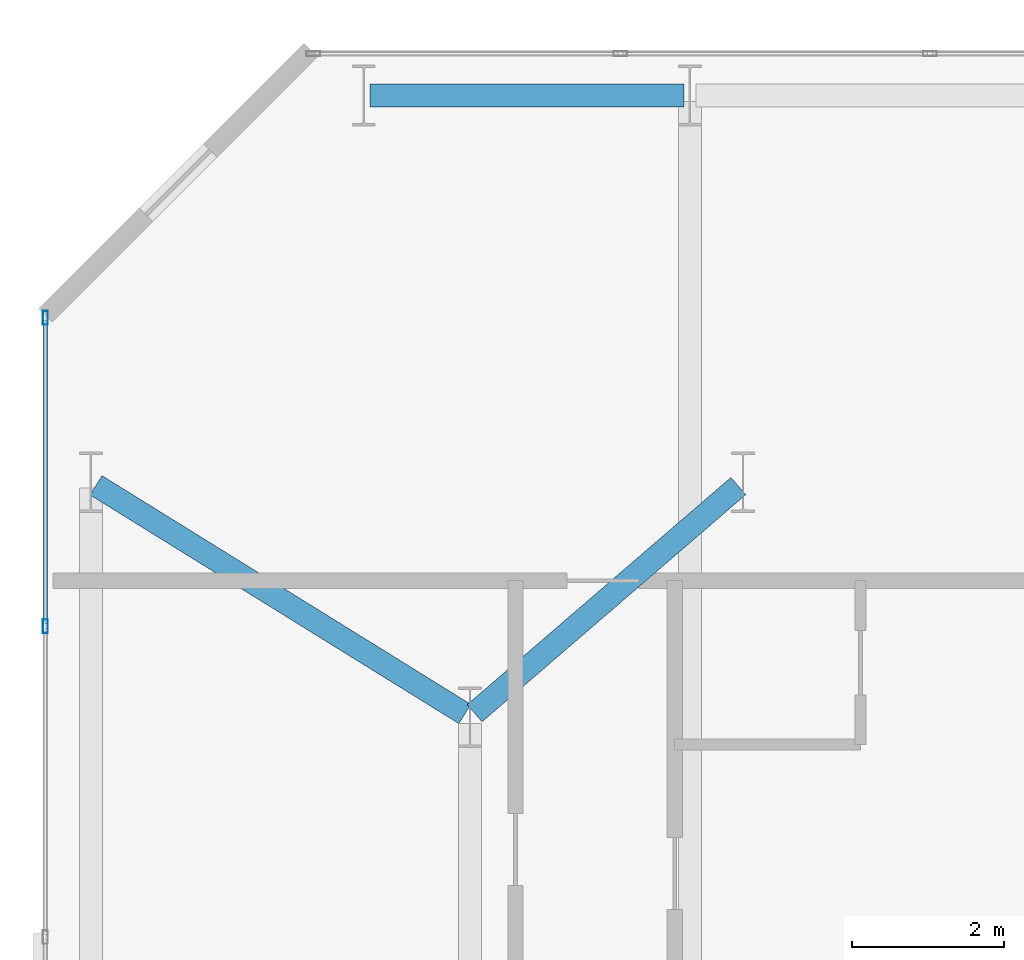
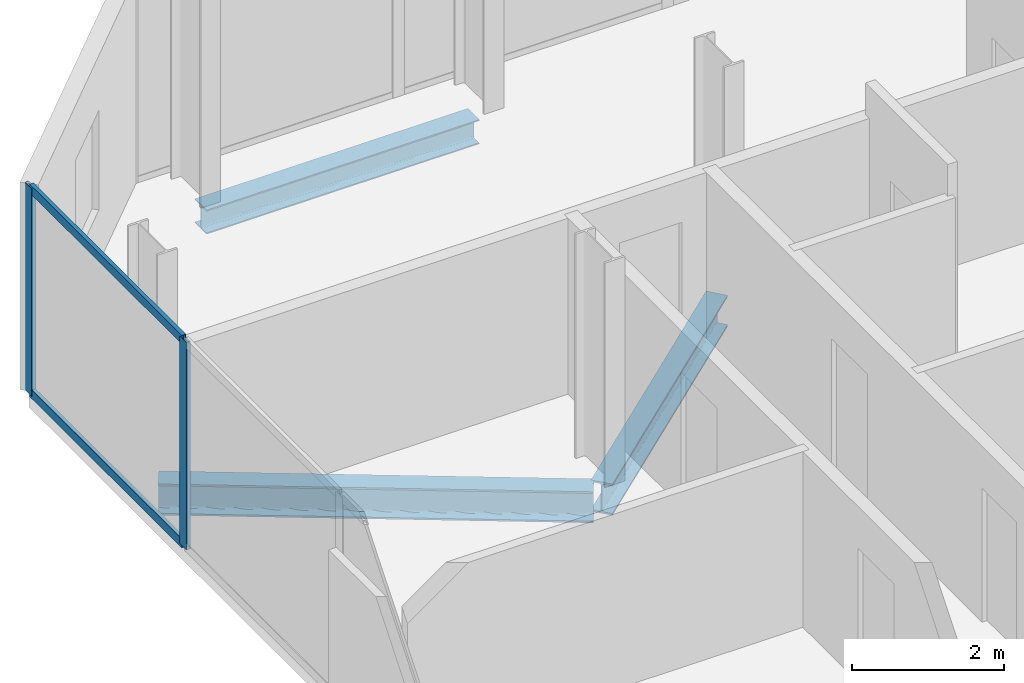
# One storey, part 20 of 33: 4 members, 3 beams, 1 element without a shape of its own.
"""IFC4 building model written with IfcOpenShell, lengths in metres."""

from ifc_helpers import new_model, si_unit, direction, frame, origin, origin_2d, place, context, subcontext, project, spatial, hollow_rectangle, i_section, extrude, material, layer, layer_set, material_profile, profile_set, type_object, element, aggregate, save


model = new_model("IFC4")

# Units and contexts
model_context = context("Model", 3, precision=1e-05, world=origin(), true_north=direction((0.0, 1.0)))
body_context = subcontext(model_context, "Body", "Model", "MODEL_VIEW")
ifc_project = project(units=[si_unit("LENGTHUNIT", "METRE"), si_unit("AREAUNIT", "SQUARE_METRE"), si_unit("VOLUMEUNIT", "CUBIC_METRE"), si_unit("PLANEANGLEUNIT", "RADIAN"), si_unit("MASSUNIT", "GRAM", prefix="KILO")], contexts=[model_context])

# Site, building, storey
site_placement = place(None, origin())
site = spatial("IfcSite", under=ifc_project, at=site_placement, CompositionType="ELEMENT")
building_placement = place(site_placement, origin())
building = spatial("IfcBuilding", under=site, at=building_placement, Name="Catumbela Crestline Tower", CompositionType="ELEMENT")
storey_placement = place(building_placement, frame((0.0, 0.0, 51.0)))
storey = spatial("IfcBuildingStorey", under=building, at=storey_placement, Name="L12", CompositionType="ELEMENT", Elevation=51.0)

# Beams
ifc_material_1 = material(Name="Structural steel S355J2", Category="steel")
ifc_material_profile_1 = material_profile(ifc_material_1, i_section(OverallWidth=0.3, OverallDepth=0.5, WebThickness=0.0145, FlangeThickness=0.028, FilletRadius=0.027, at=origin_2d()), Name="HEB 500")
ifc_profile_set_1 = profile_set([ifc_material_profile_1], Name="Structural steel S355J2")
beam_type_1 = type_object("IfcBeamType", Name="BG-HEB500", PredefinedType="BEAM", material=ifc_profile_set_1)
beam_1_placement = place(storey_placement, frame((0.668, 42.2578, -0.51), z_axis=(0.849908952007, -0.526929571479, 0.0), x_axis=(0.526929571479, 0.849908952007, 0.0)))
element("IfcBeam", 1, at=beam_1_placement, inside=storey, type_object=beam_type_1, Name="L12 Beam BM-L12-N13", PredefinedType="BEAM", context=body_context, shape_type="SweptSolid", body=[
    extrude(i_section(OverallWidth=0.3, OverallDepth=0.5, WebThickness=0.0145, FlangeThickness=0.028, FilletRadius=0.027, at=origin_2d()), origin(), (0.0, 0.0, 1.0), 5.723),
])
beam_2_placement = place(storey_placement, frame((5.6606, 39.2522, -0.51), z_axis=(0.757772392559, 0.652518966066, 0.0), x_axis=(-0.652518966066, 0.757772392559, 0.0)))
element("IfcBeam", 2, at=beam_2_placement, inside=storey, type_object=beam_type_1, Name="L12 Beam BM-L12-N14", PredefinedType="BEAM", context=body_context, shape_type="SweptSolid", body=[
    extrude(i_section(OverallWidth=0.3, OverallDepth=0.5, WebThickness=0.0145, FlangeThickness=0.028, FilletRadius=0.027, at=origin_2d()), origin(), (0.0, 0.0, 1.0), 4.5908),
])

# Curtain wall, members
ifc_material_2 = material(Name="Aluminium alloy AW-6060-T66", Category="aluminium")
ifc_layer = layer(ifc_material_2, 0.18, Name="Aluminium alloy AW-6060-T66")
ifc_layer_set = layer_set([ifc_layer], Name="Aluminium alloy AW-6060-T66")
curtain_wall_type = type_object("IfcCurtainWallType", Name="CWU-Z1", PredefinedType="USERDEFINED", material=ifc_layer_set)
curtain_wall_placement = place(storey_placement, origin())
curtain_wall = element("IfcCurtainWall", 3, at=curtain_wall_placement, inside=storey, type_object=curtain_wall_type, Name="L12 Unitised Curtain Wall CW-L12-E9S1", ObjectType="UNITISED", PredefinedType="USERDEFINED")
ifc_material_profile_2 = material_profile(ifc_material_2, hollow_rectangle(XDim=0.065, YDim=0.18, WallThickness=0.004, at=origin_2d()), Name="ALU 180x65x4")
ifc_profile_set_2 = profile_set([ifc_material_profile_2], Name="Aluminium alloy AW-6060-T66")
member_type_1 = type_object("IfcMemberType", Name="MUL-180X65", PredefinedType="MULLION", material=ifc_profile_set_2)
member_1_placement = place(storey_placement, frame((0.0, 44.4675, 0.0), z_axis=(0.0, 0.0, 1.0), x_axis=(1.0, 0.0, 0.0)))
member_1 = element("IfcMember", 4, at=member_1_placement, type_object=member_type_1, Name="CWU-Z1 mullion 1", PredefinedType="MULLION", context=body_context, shape_type="SweptSolid", body=[
    extrude(hollow_rectangle(XDim=0.065, YDim=0.18, WallThickness=0.004, at=origin_2d()), origin(), (0.0, 0.0, 1.0), 3.33),
])
member_2_placement = place(storey_placement, frame((0.0, 40.4, 0.0), z_axis=(0.0, 0.0, 1.0), x_axis=(1.0, 0.0, 0.0)))
member_2 = element("IfcMember", 5, at=member_2_placement, type_object=member_type_1, Name="CWU-Z1 mullion 2", PredefinedType="MULLION", context=body_context, shape_type="SweptSolid", body=[
    extrude(hollow_rectangle(XDim=0.065, YDim=0.18, WallThickness=0.004, at=origin_2d()), origin(), (0.0, 0.0, 1.0), 3.33),
])

# Beam
ifc_material_profile_3 = material_profile(ifc_material_1, i_section(OverallWidth=0.3, OverallDepth=0.39, WebThickness=0.011, FlangeThickness=0.019, FilletRadius=0.027, at=origin_2d()), Name="HEA 400")
ifc_profile_set_3 = profile_set([ifc_material_profile_3], Name="Structural steel S355J2")
beam_type_2 = type_object("IfcBeamType", Name="BS-HEA400", PredefinedType="SPANDREL", material=ifc_profile_set_3)
beam_3_placement = place(storey_placement, frame((4.28, 47.4, -0.455), z_axis=(1.0, 0.0, 0.0), x_axis=(0.0, 1.0, 0.0)))
element("IfcBeam", 6, at=beam_3_placement, inside=storey, type_object=beam_type_2, Name="L12 Spandrel SP-L12-NF19", PredefinedType="SPANDREL", context=body_context, shape_type="SweptSolid", body=[
    extrude(i_section(OverallWidth=0.3, OverallDepth=0.39, WebThickness=0.011, FlangeThickness=0.019, FilletRadius=0.027, at=origin_2d()), origin(), (0.0, 0.0, 1.0), 4.14),
])

# Member
ifc_material_profile_4 = material_profile(ifc_material_2, hollow_rectangle(XDim=0.06, YDim=0.14, WallThickness=0.004, at=origin_2d()), Name="ALU 140x60x4")
ifc_profile_set_4 = profile_set([ifc_material_profile_4], Name="Aluminium alloy AW-6060-T66")
member_type_2 = type_object("IfcMemberType", Name="TRN-140X60", PredefinedType="USERDEFINED", material=ifc_profile_set_4)
member_3_placement = place(storey_placement, frame((0.0, 44.435, 0.03), z_axis=(0.0, -1.0, 0.0), x_axis=(1.0, 0.0, 0.0)))
member_3 = element("IfcMember", 7, at=member_3_placement, type_object=member_type_2, Name="CWU-Z1 transom 1.1", ObjectType="TRANSOM", PredefinedType="USERDEFINED", context=body_context, shape_type="SweptSolid", body=[
    extrude(hollow_rectangle(XDim=0.06, YDim=0.14, WallThickness=0.004, at=origin_2d()), origin(), (0.0, 0.0, 1.0), 4.0025),
])

member_4_placement = place(storey_placement, frame((0.0, 44.435, 3.3), z_axis=(0.0, -1.0, 0.0), x_axis=(1.0, 0.0, 0.0)))
member_4 = element("IfcMember", 8, at=member_4_placement, type_object=member_type_2, Name="CWU-Z1 transom 1.2", ObjectType="TRANSOM", PredefinedType="USERDEFINED", context=body_context, shape_type="SweptSolid", body=[
    extrude(hollow_rectangle(XDim=0.06, YDim=0.14, WallThickness=0.004, at=origin_2d()), origin(), (0.0, 0.0, 1.0), 4.0025),
])

aggregate(curtain_wall, [member_1, member_2, member_3, member_4])

save(model, "model.ifc")
